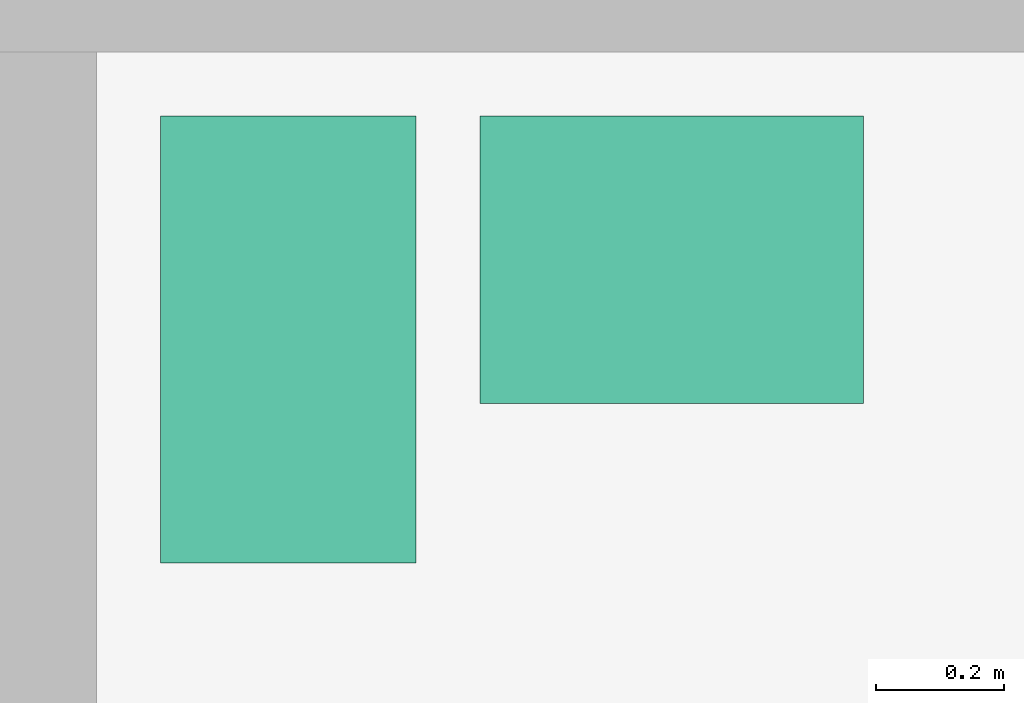
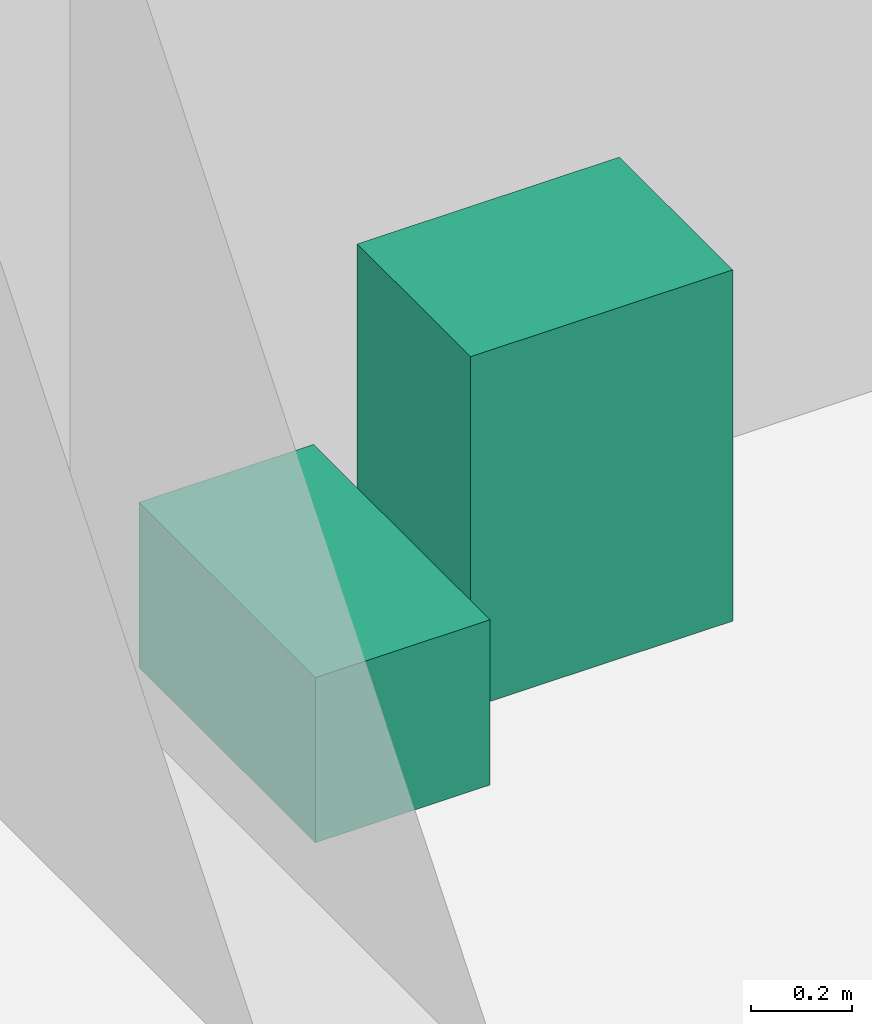
# One storey, part 16 of 16: 2 sanitary terminals.
"""IFC4 building model written with IfcOpenShell, lengths in metres."""

from ifc_helpers import new_model, si_unit, direction, frame, origin, origin_2d, place, context, subcontext, project, spatial, rectangle, extrude, element, save


model = new_model("IFC4")

# Units and contexts
model_context = context("Model", 3, precision=1e-05, world=origin(), true_north=direction((0.0, 1.0)))
body_context = subcontext(model_context, "Body", "Model", "MODEL_VIEW")
ifc_project = project(units=[si_unit("LENGTHUNIT", "METRE"), si_unit("AREAUNIT", "SQUARE_METRE"), si_unit("VOLUMEUNIT", "CUBIC_METRE"), si_unit("PLANEANGLEUNIT", "RADIAN"), si_unit("MASSUNIT", "GRAM", prefix="KILO")], contexts=[model_context])

# Site, building, storey
site_placement = place(None, origin())
site = spatial("IfcSite", under=ifc_project, at=site_placement, CompositionType="ELEMENT")
building_placement = place(site_placement, origin())
building = spatial("IfcBuilding", under=site, at=building_placement, Name="Hankou Lantern Tower", CompositionType="ELEMENT")
storey_placement = place(building_placement, frame((0.0, 0.0, 169.800048828125)))
storey = spatial("IfcBuildingStorey", under=building, at=storey_placement, Name="L45", CompositionType="ELEMENT", Elevation=169.800048828125)

# Sanitary terminals
sanitary_terminal_1_placement = place(storey_placement, frame((-8.5, -2.199951171875, 0.0), z_axis=(0.0, 0.0, 1.0), x_axis=(1.0, 0.0, 0.0)))
element("IfcSanitaryTerminal", 1, at=sanitary_terminal_1_placement, inside=storey, Name="Accessible staff WC WC pan 1", PredefinedType="TOILETPAN", context=body_context, shape_type="SweptSolid", body=[
    extrude(rectangle(XDim=0.39990234375, YDim=0.699951171875, at=origin_2d()), origin(), (0.0, 0.0, 1.0), 0.39990234375),
])
sanitary_terminal_2_placement = place(storey_placement, frame((-7.89990234375, -2.074951171875, 0.0), z_axis=(0.0, 0.0, 1.0), x_axis=(1.0, 0.0, 0.0)))
element("IfcSanitaryTerminal", 2, at=sanitary_terminal_2_placement, inside=storey, Name="Accessible staff WC wash basin 1", PredefinedType="WASHHANDBASIN", context=body_context, shape_type="SweptSolid", body=[
    extrude(rectangle(XDim=0.60009765625, YDim=0.449951171875, at=origin_2d()), origin(), (0.0, 0.0, 1.0), 0.85009765625),
])

save(model, "model.ifc")
